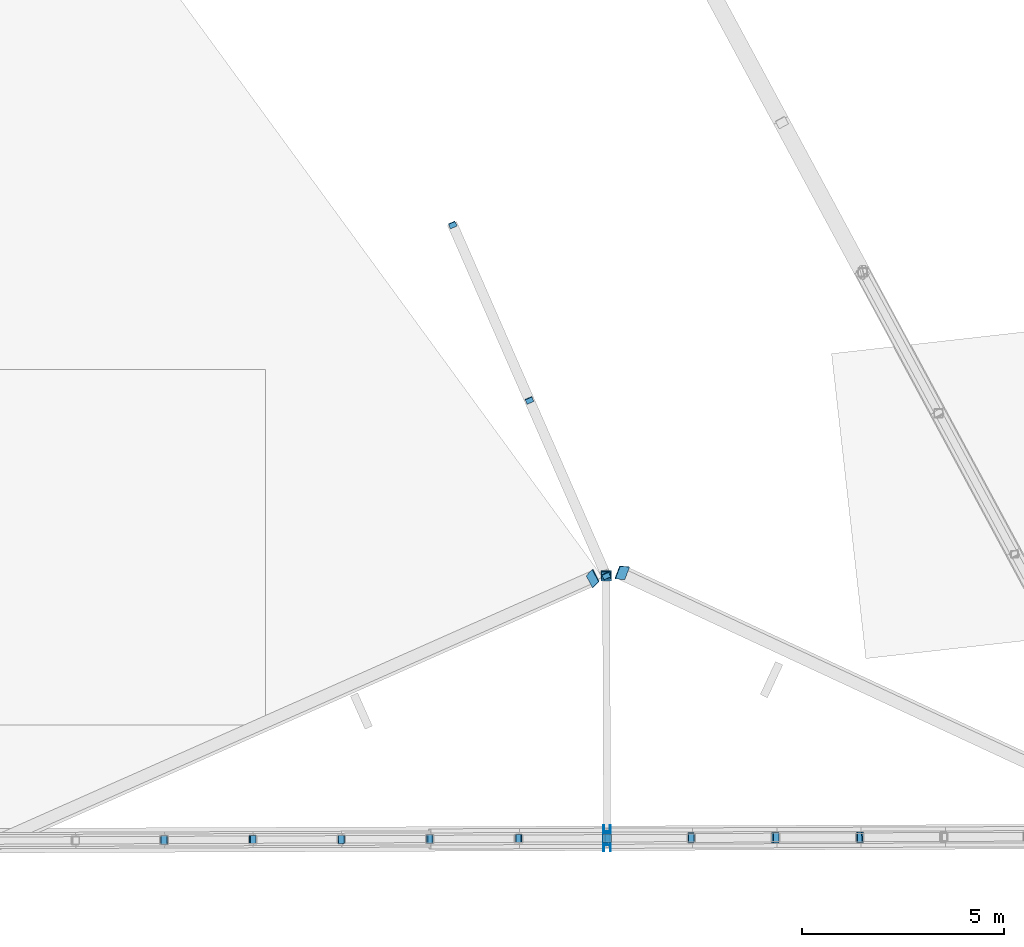
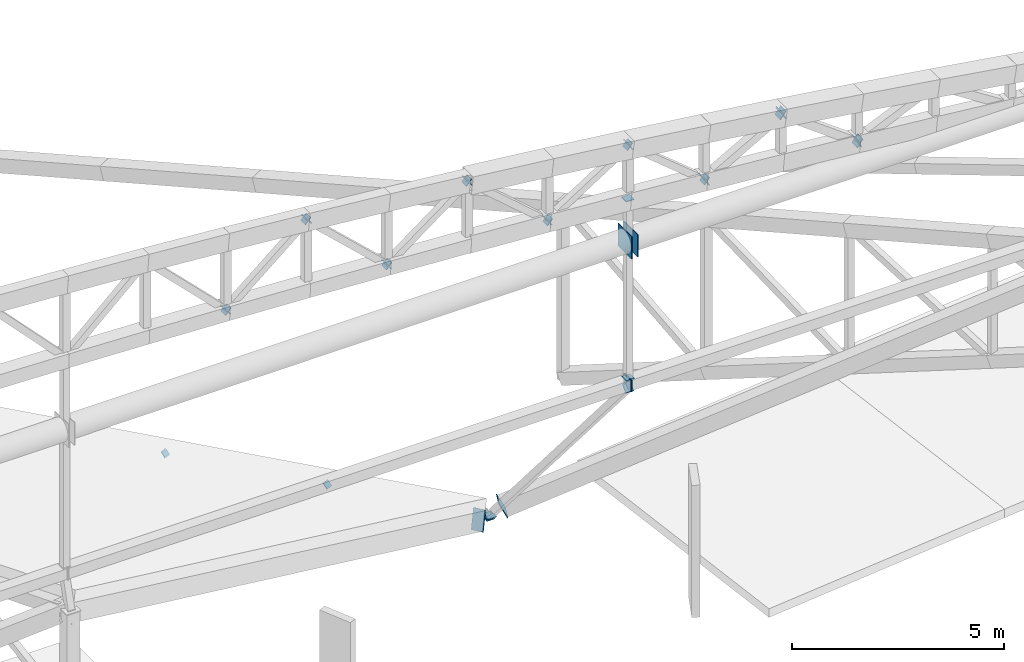
# One storey, part 140 of 188: 32 discrete accessories.
"""IFC4 building model written with IfcOpenShell, lengths in metres."""

from ifc_helpers import new_model, si_unit, direction, frame, origin, origin_2d, place, context, subcontext, project, spatial, rectangle, extrude, material, material_profile, profile_set, type_object, element, save


model = new_model("IFC4")

# Units and contexts
model_context = context("Model", 3, precision=1e-05, world=origin(), true_north=direction((0.0, 1.0)))
body_context = subcontext(model_context, "Body", "Model", "MODEL_VIEW")
ifc_project = project(units=[si_unit("LENGTHUNIT", "METRE"), si_unit("AREAUNIT", "SQUARE_METRE"), si_unit("VOLUMEUNIT", "CUBIC_METRE"), si_unit("PLANEANGLEUNIT", "RADIAN"), si_unit("MASSUNIT", "GRAM", prefix="KILO")], contexts=[model_context])

# Site, building, storey
site_placement = place(None, origin())
site = spatial("IfcSite", under=ifc_project, at=site_placement, CompositionType="ELEMENT")
building_placement = place(site_placement, origin())
building = spatial("IfcBuilding", under=site, at=building_placement, Name="Meseta Stadium", CompositionType="ELEMENT")
storey_placement = place(building_placement, frame((0.0, 0.0, 30.0)))
storey = spatial("IfcBuildingStorey", under=building, at=storey_placement, Name="ROOF", CompositionType="ELEMENT", Elevation=30.0)

# Discrete accessories
ifc_material_1 = material(Name="Steel S355", Category="steel")
ifc_material_profile_1 = material_profile(ifc_material_1, rectangle(XDim=0.179931640625, YDim=0.179931640625, at=origin_2d()), Name="PL 180x180")
ifc_profile_set_1 = profile_set([ifc_material_profile_1], Name="Steel S355")
discrete_accessory_type_1 = type_object("IfcDiscreteAccessoryType", Name="End plate 180x180x20", PredefinedType="ANCHORPLATE", material=ifc_profile_set_1)
for number, where, z_axis, x_axis, name in (
    (1, (34.53076171875, -89.911865234375, 1.538330078125), (0.292400403797, -0.670084258702, 0.68226760886), (0.91653937837, 0.399944456016, 0.0), "End plate of ROOF TRUSS RT-49 diagonal"),
    (2, (36.43212890625, -94.255859375, 2.608154296875), (0.292400403797, -0.68226760886, 0.670084258702), (0.919145030018, 0.393919298579, 0.0), "End plate of ROOF TRUSS RT-49 diagonal"),
    (3, (38.333251953125, -98.60009765625, 3.677978515625), (0.305995030681, -0.673189067498, 0.673189067498), (0.910366477463, 0.413802944301, 0.0), "End plate of ROOF TRUSS RT-49 diagonal"),
):
    element("IfcDiscreteAccessory", number, at=place(storey_placement, frame(where, z_axis=z_axis, x_axis=x_axis)), inside=storey, type_object=discrete_accessory_type_1, Name=name, PredefinedType="ANCHORPLATE", context=body_context, shape_type="SweptSolid", body=[
        extrude(rectangle(XDim=0.179931640625, YDim=0.179931640625, at=origin_2d()), origin(), (0.0, 0.0, 1.0), 0.02001953125),
    ])
ifc_material_2 = material(Name="Steel S355", Category="steel")
ifc_material_profile_2 = material_profile(ifc_material_2, rectangle(XDim=0.219970703125, YDim=0.219970703125, at=origin_2d()), Name="PL 220x220")
ifc_profile_set_2 = profile_set([ifc_material_profile_2], Name="Steel S355")
discrete_accessory_type_2 = type_object("IfcDiscreteAccessoryType", Name="End plate 220x220x20", PredefinedType="ANCHORPLATE", material=ifc_profile_set_2)
discrete_accessory_1_placement = place(storey_placement, frame((27.387451171875, -105.147216796875, 17.419677734375), z_axis=(0.713174651018, 0.012296114673, -0.700878536345), x_axis=(-0.017238817251, 0.999851400549, 0.0)))
element("IfcDiscreteAccessory", 4, at=discrete_accessory_1_placement, inside=storey, type_object=discrete_accessory_type_2, Name="End plate of GABLE ARCH GA-S diagonal", PredefinedType="ANCHORPLATE", context=body_context, shape_type="SweptSolid", body=[
    extrude(rectangle(XDim=0.219970703125, YDim=0.219970703125, at=origin_2d()), origin(), (0.0, 0.0, 1.0), 0.019775390625),
])
for number, where, z_axis, x_axis, name in (
    (5, (27.3720703125, -105.147216796875, 17.406982421875), (0.771223025002, 0.0, 0.63656503651), (0.0, 1.0, 0.0), "End plate of GABLE ARCH GA-S diagonal"),
    (6, (29.58154296875, -105.138671875, 19.243408203125), (0.771223025002, 0.0, 0.63656503651), (0.0, 1.0, 0.0), "End plate of GABLE ARCH GA-S diagonal"),
):
    element("IfcDiscreteAccessory", number, at=place(storey_placement, frame(where, z_axis=z_axis, x_axis=x_axis)), inside=storey, type_object=discrete_accessory_type_2, Name=name, PredefinedType="ANCHORPLATE", context=body_context, shape_type="SweptSolid", body=[
        extrude(rectangle(XDim=0.219970703125, YDim=0.219970703125, at=origin_2d()), origin(), (0.0, 0.0, 1.0), 0.02001953125),
    ])
discrete_accessory_2_placement = place(storey_placement, frame((29.567138671875, -105.138671875, 19.257080078125), z_axis=(0.725306290926, 0.0, -0.688426310031), x_axis=(0.0, 1.0, 0.0)))
element("IfcDiscreteAccessory", 7, at=discrete_accessory_2_placement, inside=storey, type_object=discrete_accessory_type_2, Name="End plate of GABLE ARCH GA-S diagonal", PredefinedType="ANCHORPLATE", context=body_context, shape_type="SweptSolid", body=[
    extrude(rectangle(XDim=0.219970703125, YDim=0.219970703125, at=origin_2d()), origin(), (0.0, 0.0, 1.0), 0.019775390625),
])
for number, where, z_axis, x_axis, name in (
    (8, (31.77587890625, -105.13037109375, 17.185546875), (0.731001009493, 0.012183350158, -0.68226760886), (-0.016664352334, 0.99986114004, 0.0), "End plate of GABLE ARCH GA-S diagonal"),
    (9, (31.759765625, -105.13037109375, 17.173828125), (0.808736084303, 0.0, 0.588171697675), (0.0, 1.0, 0.0), "End plate of GABLE ARCH GA-S diagonal"),
    (10, (33.969970703125, -105.121826171875, 18.8017578125), (0.802910201746, 0.0, 0.596099998266), (0.0, 1.0, 0.0), "End plate of GABLE ARCH GA-S diagonal"),
    (11, (33.954833984375, -105.121826171875, 18.81494140625), (0.754081595886, 0.0, -0.656780744804), (0.0, 1.0, 0.0), "End plate of GABLE ARCH GA-S diagonal"),
    (12, (36.1640625, -105.11328125, 16.901123046875), (0.760121344352, 0.0, -0.649781149204), (0.0, 1.0, 0.0), "End plate of GABLE ARCH GA-S diagonal"),
    (13, (36.147216796875, -105.113525390625, 16.890380859375), (0.843095010527, 0.012218768269, 0.537625803814), (-0.014491231835, 0.999894996587, 0.0), "End plate of GABLE ARCH GA-S diagonal"),
):
    element("IfcDiscreteAccessory", number, at=place(storey_placement, frame(where, z_axis=z_axis, x_axis=x_axis)), inside=storey, type_object=discrete_accessory_type_2, Name=name, PredefinedType="ANCHORPLATE", context=body_context, shape_type="SweptSolid", body=[
        extrude(rectangle(XDim=0.219970703125, YDim=0.219970703125, at=origin_2d()), origin(), (0.0, 0.0, 1.0), 0.02001953125),
    ])
discrete_accessory_3_placement = place(storey_placement, frame((38.3583984375, -105.10498046875, 18.2880859375), z_axis=(0.848688585215, 0.0, 0.528892886439), x_axis=(0.0, 1.0, 0.0)))
element("IfcDiscreteAccessory", 14, at=discrete_accessory_3_placement, inside=storey, type_object=discrete_accessory_type_2, Name="End plate of GABLE ARCH GA-S diagonal", PredefinedType="ANCHORPLATE", context=body_context, shape_type="SweptSolid", body=[
    extrude(rectangle(XDim=0.219970703125, YDim=0.219970703125, at=origin_2d()), origin(), (0.0, 0.0, 1.0), 0.019775390625),
])
for number, where, z_axis, x_axis, name in (
    (15, (38.343017578125, -105.10498046875, 18.30078125), (0.771223025002, 0.0, -0.63656503651), (0.0, 1.0, 0.0), "End plate of GABLE ARCH GA-S diagonal"),
    (16, (40.4423828125, -105.096923828125, 16.5732421875), (0.776114000116, 0.0, -0.630592625094), (0.0, 1.0, 0.0), "End plate of GABLE ARCH GA-S diagonal"),
):
    element("IfcDiscreteAccessory", number, at=place(storey_placement, frame(where, z_axis=z_axis, x_axis=x_axis)), inside=storey, type_object=discrete_accessory_type_2, Name=name, PredefinedType="ANCHORPLATE", context=body_context, shape_type="SweptSolid", body=[
        extrude(rectangle(XDim=0.219970703125, YDim=0.219970703125, at=origin_2d()), origin(), (0.0, 0.0, 1.0), 0.02001953125),
    ])
discrete_accessory_4_placement = place(storey_placement, frame((38.3583984375, -105.10498046875, 16.75927734375), z_axis=(0.0, 0.0, -1.0), x_axis=(1.0, 0.0, 0.0)))
element("IfcDiscreteAccessory", 17, at=discrete_accessory_4_placement, inside=storey, type_object=discrete_accessory_type_2, Name="End plate of GABLE ARCH GA-S hanger RT-49", PredefinedType="ANCHORPLATE", context=body_context, shape_type="SweptSolid", body=[
    extrude(rectangle(XDim=0.219970703125, YDim=0.219970703125, at=origin_2d()), origin(), (0.0, 0.0, 1.0), 0.019775390625),
])
for number, where, z_axis, x_axis, name in (
    (18, (38.3583984375, -105.10498046875, 11.60009765625), (0.0, 0.0, -1.0), (1.0, 0.0, 0.0), "End plate of GABLE ARCH GA-S hanger RT-49"),
    (19, (38.3583984375, -105.117919921875, 11.315185546875), (0.0, 0.649781149204, -0.760121344352), (-1.0, 0.0, 0.0), "End plate of GABLE ARCH GA-S hanger RT-49"),
    (20, (38.333251953125, -98.60009765625, 3.677978515625), (0.0, 0.656780744804, -0.754081595886), (-1.0, 0.0, 0.0), "End plate of GABLE ARCH GA-S hanger RT-49"),
):
    element("IfcDiscreteAccessory", number, at=place(storey_placement, frame(where, z_axis=z_axis, x_axis=x_axis)), inside=storey, type_object=discrete_accessory_type_2, Name=name, PredefinedType="ANCHORPLATE", context=body_context, shape_type="SweptSolid", body=[
        extrude(rectangle(XDim=0.219970703125, YDim=0.219970703125, at=origin_2d()), origin(), (0.0, 0.0, 1.0), 0.02001953125),
    ])
ifc_material_3 = material(Name="Steel S355", Category="steel")
ifc_material_profile_3 = material_profile(ifc_material_3, rectangle(XDim=0.260009765625, YDim=0.260009765625, at=origin_2d()), Name="PL 260x260")
ifc_profile_set_3 = profile_set([ifc_material_profile_3], Name="Steel S355")
discrete_accessory_type_3 = type_object("IfcDiscreteAccessoryType", Name="End plate 260x260x20", PredefinedType="ANCHORPLATE", material=ifc_profile_set_3)
discrete_accessory_5_placement = place(storey_placement, frame((38.333251953125, -98.60009765625, 3.677978515625), z_axis=(0.0, 0.0, 1.0), x_axis=(1.0, 0.0, 0.0)))
element("IfcDiscreteAccessory", 21, at=discrete_accessory_5_placement, inside=storey, type_object=discrete_accessory_type_3, Name="End plate of ROOF TRUSS RT-49 post", PredefinedType="ANCHORPLATE", context=body_context, shape_type="SweptSolid", body=[
    extrude(rectangle(XDim=0.260009765625, YDim=0.260009765625, at=origin_2d()), origin(), (0.0, 0.0, 1.0), 0.02001953125),
])
for number, where, z_axis, x_axis, name in (
    (22, (40.425048828125, -105.096923828125, 16.5634765625), (0.871247627745, 0.0, 0.490843733941), (0.0, 1.0, 0.0), "End plate of GABLE ARCH GA-S diagonal"),
    (23, (42.526611328125, -105.0888671875, 17.735107421875), (0.871247627745, 0.0, 0.490843733941), (0.0, 1.0, 0.0), "End plate of GABLE ARCH GA-S diagonal"),
):
    element("IfcDiscreteAccessory", number, at=place(storey_placement, frame(where, z_axis=z_axis, x_axis=x_axis)), inside=storey, type_object=discrete_accessory_type_3, Name=name, PredefinedType="ANCHORPLATE", context=body_context, shape_type="SweptSolid", body=[
        extrude(rectangle(XDim=0.260009765625, YDim=0.260009765625, at=origin_2d()), origin(), (0.0, 0.0, 1.0), 0.019775390625),
    ])
for number, where, z_axis, x_axis, name in (
    (24, (42.510498046875, -105.0888671875, 17.7470703125), (0.802910201746, 0.0, -0.596099998266), (0.0, 1.0, 0.0), "End plate of GABLE ARCH GA-S diagonal"),
    (25, (44.610595703125, -105.080810546875, 16.203369140625), (0.802910201746, 0.0, -0.596099998266), (0.0, 1.0, 0.0), "End plate of GABLE ARCH GA-S diagonal"),
    (26, (44.59228515625, -105.0810546875, 16.1953125), (0.915246875378, 0.012203291672, 0.402708625166), (-0.013332148306, 0.999911122961, 0.0), "End plate of GABLE ARCH GA-S diagonal"),
):
    element("IfcDiscreteAccessory", number, at=place(storey_placement, frame(where, z_axis=z_axis, x_axis=x_axis)), inside=storey, type_object=discrete_accessory_type_3, Name=name, PredefinedType="ANCHORPLATE", context=body_context, shape_type="SweptSolid", body=[
        extrude(rectangle(XDim=0.260009765625, YDim=0.260009765625, at=origin_2d()), origin(), (0.0, 0.0, 1.0), 0.02001953125),
    ])
ifc_material_4 = material(Name="Steel S355", Category="steel")
ifc_material_profile_4 = material_profile(ifc_material_4, rectangle(XDim=0.340087890625, YDim=0.340087890625, at=origin_2d()), Name="PL 340x340")
ifc_profile_set_4 = profile_set([ifc_material_profile_4], Name="Steel S355")
discrete_accessory_type_4 = type_object("IfcDiscreteAccessoryType", Name="End plate 340x340x20", PredefinedType="ANCHORPLATE", material=ifc_profile_set_4)
for number, where, z_axis, x_axis, name in (
    (27, (38.3583984375, -105.10498046875, 11.449951171875), (0.999925647793, 0.012194215217, 0.0), (-0.012194215217, 0.999925647793, 0.0), "End plate of GABLE ARCH GA-S sill beam 05"),
    (28, (38.33837890625, -105.10498046875, 11.449951171875), (1.0, 0.0, 0.0), (0.0, 1.0, 0.0), "End plate of GABLE ARCH GA-S sill beam 06"),
):
    element("IfcDiscreteAccessory", number, at=place(storey_placement, frame(where, z_axis=z_axis, x_axis=x_axis)), inside=storey, type_object=discrete_accessory_type_4, Name=name, PredefinedType="ANCHORPLATE", context=body_context, shape_type="SweptSolid", body=[
        extrude(rectangle(XDim=0.340087890625, YDim=0.340087890625, at=origin_2d()), origin(), (0.0, 0.0, 1.0), 0.02001953125),
    ])
ifc_material_5 = material(Name="Steel S355", Category="steel")
ifc_material_profile_5 = material_profile(ifc_material_5, rectangle(XDim=0.340087890625, YDim=0.5400390625, at=origin_2d()), Name="PL 340x540")
ifc_profile_set_5 = profile_set([ifc_material_profile_5], Name="Steel S355")
discrete_accessory_type_5 = type_object("IfcDiscreteAccessoryType", Name="End plate 340x540x20", PredefinedType="ANCHORPLATE", material=ifc_profile_set_5)
discrete_accessory_6_placement = place(storey_placement, frame((37.993408203125, -98.678466796875, 3.727783203125), z_axis=(0.847504831008, 0.375323568018, -0.375323568018), x_axis=(-0.451726350135, 0.88130563365, -0.138721608591)))
element("IfcDiscreteAccessory", 29, at=discrete_accessory_6_placement, inside=storey, type_object=discrete_accessory_type_5, Name="End plate of RIM RING BEAM 49", PredefinedType="ANCHORPLATE", context=body_context, shape_type="SweptSolid", body=[
    extrude(rectangle(XDim=0.340087890625, YDim=0.5400390625, at=origin_2d()), origin(), (0.0, 0.0, 1.0), 0.020263671875),
])
discrete_accessory_7_placement = place(storey_placement, frame((38.7216796875, -98.52783203125, 3.771728515625), z_axis=(0.828221974607, -0.377571782542, 0.414110987304), x_axis=(0.354819954098, 0.92528206584, 0.133999622423)))
element("IfcDiscreteAccessory", 30, at=discrete_accessory_7_placement, inside=storey, type_object=discrete_accessory_type_5, Name="End plate of RIM RING BEAM 50", PredefinedType="ANCHORPLATE", context=body_context, shape_type="SweptSolid", body=[
    extrude(rectangle(XDim=0.340087890625, YDim=0.5400390625, at=origin_2d()), origin(), (0.0, 0.0, 1.0), 0.02001953125),
])
ifc_material_6 = material(Name="Steel S355", Category="steel")
ifc_material_profile_6 = material_profile(ifc_material_6, rectangle(XDim=0.64990234375, YDim=0.64990234375, at=origin_2d()), Name="PL 650x650")
ifc_profile_set_6 = profile_set([ifc_material_profile_6], Name="Steel S355")
discrete_accessory_type_6 = type_object("IfcDiscreteAccessoryType", Name="End plate 650x650x20", PredefinedType="ANCHORPLATE", material=ifc_profile_set_6)
discrete_accessory_8_placement = place(storey_placement, frame((38.268310546875, -105.105224609375, 15.550048828125), z_axis=(1.0, 0.0, 0.0), x_axis=(0.0, 1.0, 0.0)))
element("IfcDiscreteAccessory", 31, at=discrete_accessory_8_placement, inside=storey, type_object=discrete_accessory_type_6, Name="End plate of GABLE ARCH GA-S tie 05", PredefinedType="ANCHORPLATE", context=body_context, shape_type="SweptSolid", body=[
    extrude(rectangle(XDim=0.64990234375, YDim=0.64990234375, at=origin_2d()), origin(), (0.0, 0.0, 1.0), 0.02001953125),
])
discrete_accessory_9_placement = place(storey_placement, frame((38.428466796875, -105.104736328125, 15.550048828125), z_axis=(0.999923800815, 0.012344738282, 0.0), x_axis=(-0.012344738282, 0.999923800815, 0.0)))
element("IfcDiscreteAccessory", 32, at=discrete_accessory_9_placement, inside=storey, type_object=discrete_accessory_type_6, Name="End plate of GABLE ARCH GA-S tie 06", PredefinedType="ANCHORPLATE", context=body_context, shape_type="SweptSolid", body=[
    extrude(rectangle(XDim=0.64990234375, YDim=0.64990234375, at=origin_2d()), origin(), (0.0, 0.0, 1.0), 0.019775390625),
])

save(model, "model.ifc")
